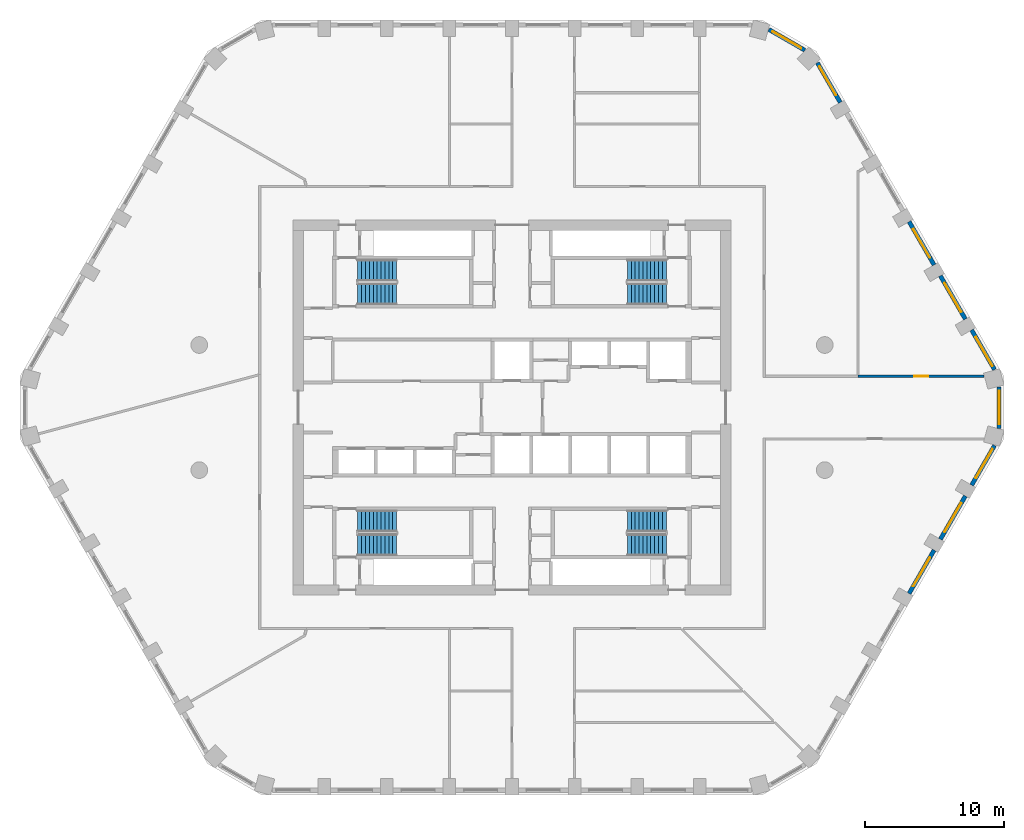
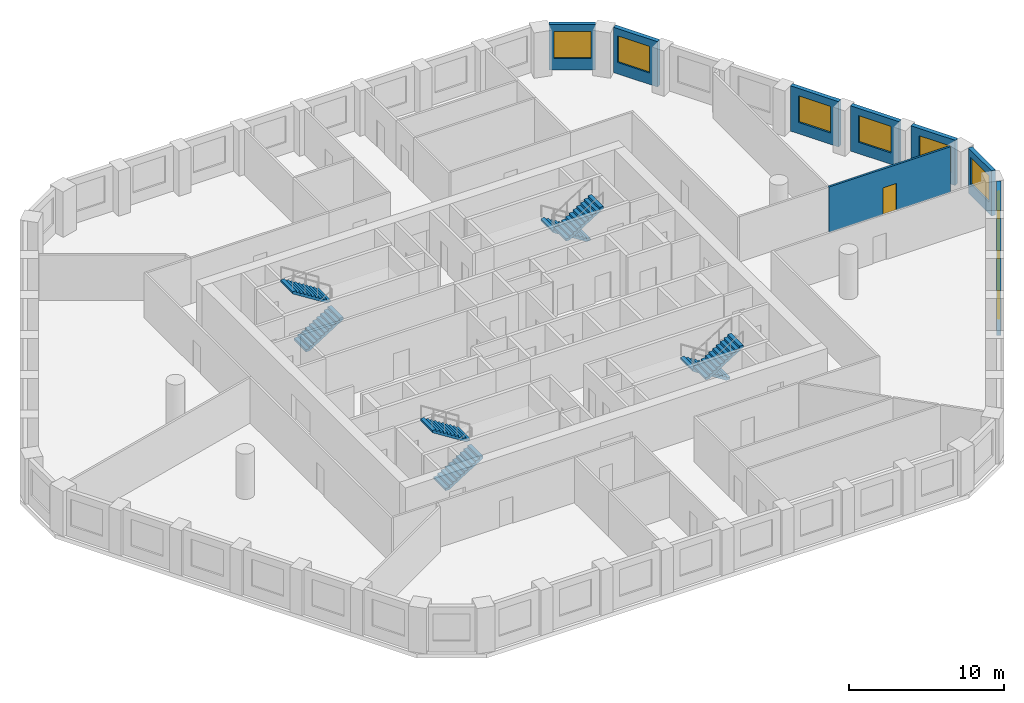
# One storey, part 8 of 9: 10 walls, 9 windows, 8 stair flights, 1 door, 10 openings, 4 elements without a shape of their own.
"""IFC4 building model written with IfcOpenShell, lengths in metres."""

import ifcopenshell
import ifcopenshell.guid

model = None  # the IFC model being written
_history = None  # IfcOwnerHistory: only IFC2X3 demands one
_inside = {}  # id of a spatial element -> (the spatial element, [elements in it])
_under = {}  # id of a project, library or spatial element -> (it, [spatial elements below it])
_declared = {}  # id of a project -> (the project, [libraries it declares])
_typed = {}  # id of a type object -> (the type object, [elements of that type])
_made_of = {}  # id of a material, layer set ... -> (it, [elements and type objects made of it])


def new_model(schema):
    """Start an empty IFC model of exactly this schema.

    Asked for "IFC4X3", IfcOpenShell would pick the latest addendum, in which some entities
    have other attributes; the version numbers below select the first issue.
    IFC2X3 requires an IfcOwnerHistory on every rooted entity: one is made here for all.
    """
    global model, _history
    if schema == "IFC4X3":
        model = ifcopenshell.file(schema_version=(4, 3, 0, 0))
    else:
        model = ifcopenshell.file(schema=schema)
    _inside.clear()
    _under.clear()
    _declared.clear()
    _typed.clear()
    _made_of.clear()
    _history = None
    if model.schema == "IFC2X3":
        org = make("IfcOrganization", Name="unknown")
        user = make(
            "IfcPersonAndOrganization",
            ThePerson=make("IfcPerson", FamilyName="unknown"),
            TheOrganization=org,
        )
        app = make(
            "IfcApplication",
            ApplicationDeveloper=org,
            Version="unknown",
            ApplicationFullName="unknown",
            ApplicationIdentifier="unknown",
        )
        _history = make(
            "IfcOwnerHistory",
            OwningUser=user,
            OwningApplication=app,
            ChangeAction="ADDED",
            CreationDate=0,
        )
    return model


def make(cls, **values):
    """One entity of the class cls with the attributes given. An attribute that is None is left unset."""
    return model.create_entity(
        cls, **{name: value for name, value in values.items() if value is not None}
    )


def rooted(cls, **values):
    """An entity with a GlobalId (a new one), such as an element, a storey or a relation."""
    return make(cls, GlobalId=ifcopenshell.guid.new(), OwnerHistory=_history, **values)


def si_unit(unit_type, name, prefix=None):
    """IfcSIUnit, for example si_unit("LENGTHUNIT", "METRE", prefix="MILLI")."""
    return make("IfcSIUnit", UnitType=unit_type, Prefix=prefix, Name=name)


def assignment(units):
    """IfcUnitAssignment: the units of a project."""
    return None if units is None else make("IfcUnitAssignment", Units=units)


def point(xyz):
    """IfcCartesianPoint."""
    return None if xyz is None else make("IfcCartesianPoint", Coordinates=xyz)


def direction(xyz):
    """IfcDirection."""
    return None if xyz is None else make("IfcDirection", DirectionRatios=xyz)


def frame(location, z_axis=None, x_axis=None):
    """IfcAxis2Placement3D, a coordinate frame: its origin and axes. An axis left out is left unset."""
    return make(
        "IfcAxis2Placement3D",
        Location=point(location),
        Axis=direction(z_axis),
        RefDirection=direction(x_axis),
    )


def frame_2d(location, x_axis=None):
    """IfcAxis2Placement2D, a coordinate frame in the plane: its origin and x axis."""
    return make(
        "IfcAxis2Placement2D", Location=point(location), RefDirection=direction(x_axis)
    )


def origin():
    """The frame at (0, 0, 0) with its axes left unset."""
    return frame((0.0, 0.0, 0.0))


def place(relative_to, where):
    """IfcLocalPlacement: puts the frame where relative to a parent placement (None: the world)."""
    return make(
        "IfcLocalPlacement", PlacementRelTo=relative_to, RelativePlacement=where
    )


def context(
    kind, dimensions, precision=None, world=None, true_north=None, identifier=None
):
    """IfcGeometricRepresentationContext, for example the 3D "Model" context."""
    return make(
        "IfcGeometricRepresentationContext",
        ContextIdentifier=identifier,
        ContextType=kind,
        CoordinateSpaceDimension=dimensions,
        Precision=precision,
        WorldCoordinateSystem=world,
        TrueNorth=true_north,
    )


def subcontext(parent, identifier, kind, view, scale=None):
    """IfcGeometricRepresentationSubContext, for example "Body" below "Model"."""
    return make(
        "IfcGeometricRepresentationSubContext",
        ContextIdentifier=identifier,
        ContextType=kind,
        ParentContext=parent,
        TargetScale=scale,
        TargetView=view,
    )


def project(units=None, contexts=None):
    """IfcProject with its units and contexts."""
    return rooted(
        "IfcProject",
        Name="project",
        RepresentationContexts=contexts,
        UnitsInContext=assignment(units),
    )


def spatial(cls, under=None, at=None, **own):
    """A site, building, storey or space (cls), placed at a placement, below another one or the project."""
    s = rooted(cls, ObjectPlacement=at, **own)
    if under is not None:
        _under.setdefault(under.id(), (under, []))[1].append(s)
    return s


def polyline(points):
    """IfcPolyline through the points."""
    return make("IfcPolyline", Points=[point(p) for p in points])


def profile(cls, at=None, kind="AREA", **sizes):
    """A parametric profile (cls). Its sizes go by their IFC names, for example OverallWidth=200.0."""
    return make(cls, ProfileType=kind, Position=at, **sizes)


def rectangle(**sizes):
    """IfcRectangleProfileDef."""
    return profile("IfcRectangleProfileDef", **sizes)


def outline(outer, holes=None, kind="AREA"):
    """IfcArbitraryClosedProfileDef: a profile drawn as a closed curve; with holes, ...WithVoids."""
    if holes is None:
        return make("IfcArbitraryClosedProfileDef", ProfileType=kind, OuterCurve=outer)
    return make(
        "IfcArbitraryProfileDefWithVoids",
        ProfileType=kind,
        OuterCurve=outer,
        InnerCurves=holes,
    )


def extrude(swept, where, along, depth):
    """IfcExtrudedAreaSolid: the profile swept, set in the frame where, extruded along a direction by depth."""
    return make(
        "IfcExtrudedAreaSolid",
        SweptArea=swept,
        Position=where,
        ExtrudedDirection=direction(along),
        Depth=depth,
    )


def shape(context_of_items, identifier, shape_type, items):
    """IfcShapeRepresentation: the items that make up one representation, for example the "Body"."""
    return make(
        "IfcShapeRepresentation",
        ContextOfItems=context_of_items,
        RepresentationIdentifier=identifier,
        RepresentationType=shape_type,
        Items=items,
    )


def material(Name=None, Category=None):
    """IfcMaterial."""
    return make("IfcMaterial", Name=Name, Category=Category)


def layer(
    of_material, thickness, ventilated=None, Name=None, Category=None, Priority=None
):
    """IfcMaterialLayer: one layer of a wall or slab, of a material (None: an air gap)."""
    return make(
        "IfcMaterialLayer",
        Material=of_material,
        LayerThickness=thickness,
        IsVentilated=ventilated,
        Name=Name,
        Category=Category,
        Priority=Priority,
    )


def layer_set(layers, Name=None):
    """IfcMaterialLayerSet."""
    return make("IfcMaterialLayerSet", MaterialLayers=layers, LayerSetName=Name)


def made_of(thing, what):
    """Note that an element or type object is made of a material, layer set ...; save() writes the relation."""
    if what is not None:
        _made_of.setdefault(what.id(), (what, []))[1].append(thing)
    return thing


def type_object(cls, material=None, **own):
    """A type object (cls), such as IfcWallType, which elements share."""
    return made_of(rooted(cls, **own), material)


def element(
    cls,
    number,
    at=None,
    inside=None,
    cuts=None,
    type_object=None,
    material=None,
    context=None,
    identifier="Body",
    shape_type=None,
    held_by="IfcProductDefinitionShape",
    body=None,
    shapes=None,
    **own,
):
    """One element of the class cls, such as IfcWall. Its Tag is "e" and its number.

    at: its placement. inside: the storey or other place that contains it. cuts: it is an
    opening in that element (IfcRelVoidsElement). A single representation is given by context,
    identifier, shape_type and body (its items); several are given by shapes. held_by: the class
    of the entity that holds the representations. save() writes the other relations.
    """
    e = rooted(cls, Tag="e%d" % number, ObjectPlacement=at, **own)
    if body is not None:
        shapes = [shape(context, identifier, shape_type, body)]
    if shapes is not None:
        e.Representation = make(held_by, Representations=shapes)
    if inside is not None:
        _inside.setdefault(inside.id(), (inside, []))[1].append(e)
    if cuts is not None:
        rooted(
            "IfcRelVoidsElement", RelatingBuildingElement=cuts, RelatedOpeningElement=e
        )
    if type_object is not None:
        _typed.setdefault(type_object.id(), (type_object, []))[1].append(e)
    return made_of(e, material)


def fill(opening, filler):
    """IfcRelFillsElement: the door or window that sits in an opening."""
    return rooted(
        "IfcRelFillsElement",
        RelatingOpeningElement=opening,
        RelatedBuildingElement=filler,
    )


def aggregate(whole, parts):
    """IfcRelAggregates: a whole, such as a stair, and the parts it consists of."""
    return rooted("IfcRelAggregates", RelatingObject=whole, RelatedObjects=parts)


def save(model, path):
    """Write the relations noted so far, then the file.

    IfcRelAggregates (storeys below a building ...), IfcRelContainedInSpatialStructure (elements
    in a storey), IfcRelDefinesByType, IfcRelAssociatesMaterial and IfcRelDeclares: one each for
    every whole, place, type object, material and project.
    """
    for whole, parts in _under.values():
        aggregate(whole, parts)
    for where, things in _inside.values():
        rooted(
            "IfcRelContainedInSpatialStructure",
            RelatedElements=things,
            RelatingStructure=where,
        )
    for kind, things in _typed.values():
        rooted("IfcRelDefinesByType", RelatedObjects=things, RelatingType=kind)
    for what, things in _made_of.values():
        rooted("IfcRelAssociatesMaterial", RelatedObjects=things, RelatingMaterial=what)
    for by, libraries in _declared.values():
        rooted("IfcRelDeclares", RelatingContext=by, RelatedDefinitions=libraries)
    model.write(path)


model = new_model("IFC4")

# Units and contexts
model_context = context("Model", 3, precision=1e-05, world=origin(), true_north=direction((0.0, 1.0)))
body_context = subcontext(model_context, "Body", "Model", "MODEL_VIEW")
ifc_project = project(units=[si_unit("LENGTHUNIT", "METRE"), si_unit("AREAUNIT", "SQUARE_METRE"), si_unit("VOLUMEUNIT", "CUBIC_METRE"), si_unit("PLANEANGLEUNIT", "RADIAN"), si_unit("MASSUNIT", "GRAM", prefix="KILO")], contexts=[model_context])

# Site, building, storey
site_placement = place(None, origin())
site = spatial("IfcSite", under=ifc_project, at=site_placement, CompositionType="ELEMENT")
building_placement = place(site_placement, origin())
building = spatial("IfcBuilding", under=site, at=building_placement, Name="Dhurran Vertical Campus", CompositionType="ELEMENT")
storey_placement = place(building_placement, frame((0.0, 0.0, 167.699951171875)))
storey = spatial("IfcBuildingStorey", under=building, at=storey_placement, Name="L41", CompositionType="ELEMENT", Elevation=167.699951171875)

# Wall, opening, window
ifc_material_1 = material(Name="Precast concrete C50/60", Category="concrete")
ifc_layer_1 = layer(ifc_material_1, 0.300048828125)
ifc_layer_set_1 = layer_set([ifc_layer_1], Name="Precast concrete C50/60")
wall_type_1 = type_object("IfcWallType", Name="Precast spandrel wall 300", PredefinedType="SOLIDWALL", material=ifc_layer_set_1)
wall_1_placement = place(storey_placement, frame((28.5693359375, -13.376220703125, 0.0), z_axis=(0.0, 0.0, 1.0), x_axis=(0.500027802648, 0.866009351323, 0.0)))
wall_1 = element("IfcWall", 1, at=wall_1_placement, inside=storey, type_object=wall_type_1, Name="EW1 L41.12", PredefinedType="SOLIDWALL", context=body_context, shape_type="SweptSolid", body=[
    extrude(rectangle(XDim=3.598876953125, YDim=0.300048828125, at=frame_2d((1.79931640625, 0.0))), origin(), (0.0, 0.0, 1.0), 3.574951171875),
])
opening_1_placement = place(wall_1_placement, frame((0.599609375, 0.0, 0.89990234375)))
opening_1 = element("IfcOpeningElement", 2, at=opening_1_placement, cuts=wall_1, Name="Opening WT1", PredefinedType="OPENING", context=body_context, shape_type="SweptSolid", body=[
    extrude(rectangle(XDim=2.39990234375, YDim=2.10009765625, at=frame_2d((1.199951171875, 1.050048828125))), frame((0.0, 0.159912109375, 0.0), z_axis=(0.0, -1.0, 0.0), x_axis=(1.0, 0.0, 0.0)), (0.0, 0.0, 1.0), 0.320068359375),
])
ifc_material_2 = material(Name="Aluminium frame with solar-control glass", Category="aluminium")
window_type = type_object("IfcWindowType", Name="Punched window 2400 x 2100", PartitioningType="SINGLE_PANEL", PredefinedType="WINDOW", material=ifc_material_2)
window_1_placement = place(opening_1_placement, origin())
window_1 = element("IfcWindow", 3, at=window_1_placement, inside=storey, type_object=window_type, Name="WT1 L41.12", OverallHeight=2.10009765625, OverallWidth=2.39990234375, PartitioningType="SINGLE_PANEL", PredefinedType="WINDOW", context=body_context, shape_type="SweptSolid", body=[
    extrude(rectangle(XDim=2.39990234375, YDim=2.10009765625, at=frame_2d((1.199951171875, 1.050048828125))), frame((0.0, 0.030029296875, 0.0), z_axis=(0.0, -1.0, 0.0), x_axis=(1.0, 0.0, 0.0)), (0.0, 0.0, 1.0), 0.06005859375),
])
fill(opening_1, window_1)

wall_2_placement = place(storey_placement, frame((30.8193359375, -9.47900390625, 0.0), z_axis=(0.0, 0.0, 1.0), x_axis=(0.500027802648, 0.866009351323, 0.0)))
wall_2 = element("IfcWall", 4, at=wall_2_placement, inside=storey, type_object=wall_type_1, Name="EW1 L41.13", PredefinedType="SOLIDWALL", context=body_context, shape_type="SweptSolid", body=[
    extrude(rectangle(XDim=3.598876953125, YDim=0.300048828125, at=frame_2d((1.79931640625, 0.0))), origin(), (0.0, 0.0, 1.0), 3.574951171875),
])
opening_2_placement = place(wall_2_placement, frame((0.599609375, 0.0, 0.89990234375)))
opening_2 = element("IfcOpeningElement", 5, at=opening_2_placement, cuts=wall_2, Name="Opening WT1", PredefinedType="OPENING", context=body_context, shape_type="SweptSolid", body=[
    extrude(rectangle(XDim=2.39990234375, YDim=2.10009765625, at=frame_2d((1.199951171875, 1.050048828125))), frame((0.0, 0.159912109375, 0.0), z_axis=(0.0, -1.0, 0.0), x_axis=(1.0, 0.0, 0.0)), (0.0, 0.0, 1.0), 0.320068359375),
])
window_2_placement = place(opening_2_placement, origin())
window_2 = element("IfcWindow", 6, at=window_2_placement, inside=storey, type_object=window_type, Name="WT1 L41.13", OverallHeight=2.10009765625, OverallWidth=2.39990234375, PartitioningType="SINGLE_PANEL", PredefinedType="WINDOW", context=body_context, shape_type="SweptSolid", body=[
    extrude(rectangle(XDim=2.39990234375, YDim=2.10009765625, at=frame_2d((1.199951171875, 1.050048828125))), frame((0.0, 0.030029296875, 0.0), z_axis=(0.0, -1.0, 0.0), x_axis=(1.0, 0.0, 0.0)), (0.0, 0.0, 1.0), 0.06005859375),
])
fill(opening_2, window_2)

wall_3_placement = place(storey_placement, frame((33.0693359375, -5.58203125, 0.0), z_axis=(0.0, 0.0, 1.0), x_axis=(0.499981217486, 0.866036247602, 0.0)))
wall_3 = element("IfcWall", 7, at=wall_3_placement, inside=storey, type_object=wall_type_1, Name="EW1 L41.14", PredefinedType="SOLIDWALL", context=body_context, shape_type="SweptSolid", body=[
    extrude(rectangle(XDim=3.294189453125, YDim=0.300048828125, at=frame_2d((1.64697265625, 0.0))), origin(), (0.0, 0.0, 1.0), 3.574951171875),
])
opening_3_placement = place(wall_3_placement, frame((0.599609375, 0.0, 0.89990234375)))
opening_3 = element("IfcOpeningElement", 8, at=opening_3_placement, cuts=wall_3, Name="Opening WT1", PredefinedType="OPENING", context=body_context, shape_type="SweptSolid", body=[
    extrude(rectangle(XDim=2.39990234375, YDim=2.10009765625, at=frame_2d((1.199951171875, 1.050048828125))), frame((0.0, 0.159912109375, 0.0), z_axis=(0.0, -1.0, 0.0), x_axis=(1.0, 0.0, 0.0)), (0.0, 0.0, 1.0), 0.320068359375),
])
window_3_placement = place(opening_3_placement, origin())
window_3 = element("IfcWindow", 9, at=window_3_placement, inside=storey, type_object=window_type, Name="WT1 L41.14", OverallHeight=2.10009765625, OverallWidth=2.39990234375, PartitioningType="SINGLE_PANEL", PredefinedType="WINDOW", context=body_context, shape_type="SweptSolid", body=[
    extrude(rectangle(XDim=2.39990234375, YDim=2.10009765625, at=frame_2d((1.199951171875, 1.050048828125))), frame((0.0, 0.030029296875, 0.0), z_axis=(0.0, -1.0, 0.0), x_axis=(1.0, 0.0, 0.0)), (0.0, 0.0, 1.0), 0.06005859375),
])
fill(opening_3, window_3)

wall_4_placement = place(storey_placement, frame((35.047119140625, -1.49462890625, 0.0), z_axis=(0.0, 0.0, 1.0), x_axis=(0.0, 1.0, 0.0)))
wall_4 = element("IfcWall", 10, at=wall_4_placement, inside=storey, type_object=wall_type_1, Name="EW1 L41.15", PredefinedType="SOLIDWALL", context=body_context, shape_type="SweptSolid", body=[
    extrude(rectangle(XDim=2.9892578125, YDim=0.300048828125, at=frame_2d((1.49462890625, 0.0))), origin(), (0.0, 0.0, 1.0), 3.574951171875),
])
opening_4_placement = place(wall_4_placement, frame((0.294677734375, 0.0, 0.89990234375)))
opening_4 = element("IfcOpeningElement", 11, at=opening_4_placement, cuts=wall_4, Name="Opening WT1", PredefinedType="OPENING", context=body_context, shape_type="SweptSolid", body=[
    extrude(rectangle(XDim=2.39990234375, YDim=2.10009765625, at=frame_2d((1.199951171875, 1.050048828125))), frame((0.0, 0.159912109375, 0.0), z_axis=(0.0, -1.0, 0.0), x_axis=(1.0, 0.0, 0.0)), (0.0, 0.0, 1.0), 0.320068359375),
])
window_4_placement = place(opening_4_placement, origin())
window_4 = element("IfcWindow", 12, at=window_4_placement, inside=storey, type_object=window_type, Name="WT1 L41.15", OverallHeight=2.10009765625, OverallWidth=2.39990234375, PartitioningType="SINGLE_PANEL", PredefinedType="WINDOW", context=body_context, shape_type="SweptSolid", body=[
    extrude(rectangle(XDim=2.39990234375, YDim=2.10009765625, at=frame_2d((1.199951171875, 1.050048828125))), frame((0.0, 0.030029296875, 0.0), z_axis=(0.0, -1.0, 0.0), x_axis=(1.0, 0.0, 0.0)), (0.0, 0.0, 1.0), 0.06005859375),
])
fill(opening_4, window_4)

wall_5_placement = place(storey_placement, frame((34.71630859375, 2.729248046875, 0.0), z_axis=(0.0, 0.0, 1.0), x_axis=(-0.499981217486, 0.866036247602, 0.0)))
wall_5 = element("IfcWall", 13, at=wall_5_placement, inside=storey, type_object=wall_type_1, Name="EW1 L41.16", PredefinedType="SOLIDWALL", context=body_context, shape_type="SweptSolid", body=[
    extrude(rectangle(XDim=3.294189453125, YDim=0.300048828125, at=frame_2d((1.64697265625, 0.0))), origin(), (0.0, 0.0, 1.0), 3.574951171875),
])
opening_5_placement = place(wall_5_placement, frame((0.294677734375, 0.0, 0.89990234375)))
opening_5 = element("IfcOpeningElement", 14, at=opening_5_placement, cuts=wall_5, Name="Opening WT1", PredefinedType="OPENING", context=body_context, shape_type="SweptSolid", body=[
    extrude(rectangle(XDim=2.39990234375, YDim=2.10009765625, at=frame_2d((1.199951171875, 1.050048828125))), frame((0.0, 0.159912109375, 0.0), z_axis=(0.0, -1.0, 0.0), x_axis=(1.0, 0.0, 0.0)), (0.0, 0.0, 1.0), 0.320068359375),
])
window_5_placement = place(opening_5_placement, origin())
window_5 = element("IfcWindow", 15, at=window_5_placement, inside=storey, type_object=window_type, Name="WT1 L41.16", OverallHeight=2.10009765625, OverallWidth=2.39990234375, PartitioningType="SINGLE_PANEL", PredefinedType="WINDOW", context=body_context, shape_type="SweptSolid", body=[
    extrude(rectangle(XDim=2.39990234375, YDim=2.10009765625, at=frame_2d((1.199951171875, 1.050048828125))), frame((0.0, 0.030029296875, 0.0), z_axis=(0.0, -1.0, 0.0), x_axis=(1.0, 0.0, 0.0)), (0.0, 0.0, 1.0), 0.06005859375),
])
fill(opening_5, window_5)

wall_6_placement = place(storey_placement, frame((32.618896484375, 6.3623046875, 0.0), z_axis=(0.0, 0.0, 1.0), x_axis=(-0.500027802648, 0.866009351323, 0.0)))
wall_6 = element("IfcWall", 16, at=wall_6_placement, inside=storey, type_object=wall_type_1, Name="EW1 L41.17", PredefinedType="SOLIDWALL", context=body_context, shape_type="SweptSolid", body=[
    extrude(rectangle(XDim=3.598876953125, YDim=0.300048828125, at=frame_2d((1.79931640625, 0.0))), origin(), (0.0, 0.0, 1.0), 3.574951171875),
])
opening_6_placement = place(wall_6_placement, frame((0.599609375, 0.0, 0.89990234375)))
opening_6 = element("IfcOpeningElement", 17, at=opening_6_placement, cuts=wall_6, Name="Opening WT1", PredefinedType="OPENING", context=body_context, shape_type="SweptSolid", body=[
    extrude(rectangle(XDim=2.39990234375, YDim=2.10009765625, at=frame_2d((1.199951171875, 1.050048828125))), frame((0.0, 0.159912109375, 0.0), z_axis=(0.0, -1.0, 0.0), x_axis=(1.0, 0.0, 0.0)), (0.0, 0.0, 1.0), 0.320068359375),
])
window_6_placement = place(opening_6_placement, origin())
window_6 = element("IfcWindow", 18, at=window_6_placement, inside=storey, type_object=window_type, Name="WT1 L41.17", OverallHeight=2.10009765625, OverallWidth=2.39990234375, PartitioningType="SINGLE_PANEL", PredefinedType="WINDOW", context=body_context, shape_type="SweptSolid", body=[
    extrude(rectangle(XDim=2.39990234375, YDim=2.10009765625, at=frame_2d((1.199951171875, 1.050048828125))), frame((0.0, 0.030029296875, 0.0), z_axis=(0.0, -1.0, 0.0), x_axis=(1.0, 0.0, 0.0)), (0.0, 0.0, 1.0), 0.06005859375),
])
fill(opening_6, window_6)

wall_7_placement = place(storey_placement, frame((30.368896484375, 10.259521484375, 0.0), z_axis=(0.0, 0.0, 1.0), x_axis=(-0.500027802648, 0.866009351323, 0.0)))
wall_7 = element("IfcWall", 19, at=wall_7_placement, inside=storey, type_object=wall_type_1, Name="EW1 L41.18", PredefinedType="SOLIDWALL", context=body_context, shape_type="SweptSolid", body=[
    extrude(rectangle(XDim=3.598876953125, YDim=0.300048828125, at=frame_2d((1.79931640625, 0.0))), origin(), (0.0, 0.0, 1.0), 3.574951171875),
])
opening_7_placement = place(wall_7_placement, frame((0.599609375, 0.0, 0.89990234375)))
opening_7 = element("IfcOpeningElement", 20, at=opening_7_placement, cuts=wall_7, Name="Opening WT1", PredefinedType="OPENING", context=body_context, shape_type="SweptSolid", body=[
    extrude(rectangle(XDim=2.39990234375, YDim=2.10009765625, at=frame_2d((1.199951171875, 1.050048828125))), frame((0.0, 0.159912109375, 0.0), z_axis=(0.0, -1.0, 0.0), x_axis=(1.0, 0.0, 0.0)), (0.0, 0.0, 1.0), 0.320068359375),
])
window_7_placement = place(opening_7_placement, origin())
window_7 = element("IfcWindow", 21, at=window_7_placement, inside=storey, type_object=window_type, Name="WT1 L41.18", OverallHeight=2.10009765625, OverallWidth=2.39990234375, PartitioningType="SINGLE_PANEL", PredefinedType="WINDOW", context=body_context, shape_type="SweptSolid", body=[
    extrude(rectangle(XDim=2.39990234375, YDim=2.10009765625, at=frame_2d((1.199951171875, 1.050048828125))), frame((0.0, 0.030029296875, 0.0), z_axis=(0.0, -1.0, 0.0), x_axis=(1.0, 0.0, 0.0)), (0.0, 0.0, 1.0), 0.06005859375),
])
fill(opening_7, window_7)

wall_8_placement = place(storey_placement, frame((23.618896484375, 21.95068359375, 0.0), z_axis=(0.0, 0.0, 1.0), x_axis=(-0.500036802197, 0.866004154983, 0.0)))
wall_8 = element("IfcWall", 22, at=wall_8_placement, inside=storey, type_object=wall_type_1, Name="EW1 L41.21", PredefinedType="SOLIDWALL", context=body_context, shape_type="SweptSolid", body=[
    extrude(rectangle(XDim=3.294189453125, YDim=0.300048828125, at=frame_2d((1.64697265625, 0.0))), origin(), (0.0, 0.0, 1.0), 3.574951171875),
])
opening_8_placement = place(wall_8_placement, frame((0.599609375, 0.0, 0.89990234375)))
opening_8 = element("IfcOpeningElement", 23, at=opening_8_placement, cuts=wall_8, Name="Opening WT1", PredefinedType="OPENING", context=body_context, shape_type="SweptSolid", body=[
    extrude(rectangle(XDim=2.39990234375, YDim=2.10009765625, at=frame_2d((1.199951171875, 1.050048828125))), frame((0.0, 0.159912109375, 0.0), z_axis=(0.0, -1.0, 0.0), x_axis=(1.0, 0.0, 0.0)), (0.0, 0.0, 1.0), 0.320068359375),
])
window_8_placement = place(opening_8_placement, origin())
window_8 = element("IfcWindow", 24, at=window_8_placement, inside=storey, type_object=window_type, Name="WT1 L41.21", OverallHeight=2.10009765625, OverallWidth=2.39990234375, PartitioningType="SINGLE_PANEL", PredefinedType="WINDOW", context=body_context, shape_type="SweptSolid", body=[
    extrude(rectangle(XDim=2.39990234375, YDim=2.10009765625, at=frame_2d((1.199951171875, 1.050048828125))), frame((0.0, 0.030029296875, 0.0), z_axis=(0.0, -1.0, 0.0), x_axis=(1.0, 0.0, 0.0)), (0.0, 0.0, 1.0), 0.06005859375),
])
fill(opening_8, window_8)

wall_9_placement = place(storey_placement, frame((21.06787109375, 25.707275390625, 0.0), z_axis=(0.0, 0.0, 1.0), x_axis=(-0.866012844897, 0.500021752, 0.0)))
wall_9 = element("IfcWall", 25, at=wall_9_placement, inside=storey, type_object=wall_type_1, Name="EW1 L41.22", PredefinedType="SOLIDWALL", context=body_context, shape_type="SweptSolid", body=[
    extrude(rectangle(XDim=2.989013671875, YDim=0.300048828125, at=frame_2d((1.49462890625, 0.0))), origin(), (0.0, 0.0, 1.0), 3.574951171875),
])
opening_9_placement = place(wall_9_placement, frame((0.294677734375, 0.0, 0.89990234375)))
opening_9 = element("IfcOpeningElement", 26, at=opening_9_placement, cuts=wall_9, Name="Opening WT1", PredefinedType="OPENING", context=body_context, shape_type="SweptSolid", body=[
    extrude(rectangle(XDim=2.39990234375, YDim=2.10009765625, at=frame_2d((1.199951171875, 1.050048828125))), frame((0.0, 0.159912109375, 0.0), z_axis=(0.0, -1.0, 0.0), x_axis=(1.0, 0.0, 0.0)), (0.0, 0.0, 1.0), 0.320068359375),
])
window_9_placement = place(opening_9_placement, origin())
window_9 = element("IfcWindow", 27, at=window_9_placement, inside=storey, type_object=window_type, Name="WT1 L41.22", OverallHeight=2.10009765625, OverallWidth=2.39990234375, PartitioningType="SINGLE_PANEL", PredefinedType="WINDOW", context=body_context, shape_type="SweptSolid", body=[
    extrude(rectangle(XDim=2.39990234375, YDim=2.10009765625, at=frame_2d((1.199951171875, 1.050048828125))), frame((0.0, 0.030029296875, 0.0), z_axis=(0.0, -1.0, 0.0), x_axis=(1.0, 0.0, 0.0)), (0.0, 0.0, 1.0), 0.06005859375),
])
fill(opening_9, window_9)

# Wall, opening, door
ifc_material_3 = material(Name="Gypsum board corridor wall on steel studs", Category="steel")
ifc_layer_2 = layer(ifc_material_3, 0.14990234375)
ifc_layer_set_2 = layer_set([ifc_layer_2], Name="Gypsum board corridor wall on steel studs")
wall_type_2 = type_object("IfcWallType", Name="fl-CW-150 corridor wall", PredefinedType="PARTITIONING", material=ifc_layer_set_2)
wall_10_placement = place(storey_placement, frame((24.89990234375, 2.25, 0.0), z_axis=(0.0, 0.0, 1.0), x_axis=(1.0, 0.0, 0.0)))
wall_10 = element("IfcWall", 28, at=wall_10_placement, inside=storey, type_object=wall_type_2, Name="Partition 41-49", PredefinedType="PARTITIONING", context=body_context, shape_type="SweptSolid", body=[
    extrude(rectangle(XDim=9.06787109375, YDim=0.14990234375, at=frame_2d((4.533935546875, 0.0))), origin(), (0.0, 0.0, 1.0), 3.574951171875),
])
opening_10_placement = place(wall_10_placement, frame((4.033935546875, 0.0, 0.0)))
opening_10 = element("IfcOpeningElement", 29, at=opening_10_placement, cuts=wall_10, Name="Opening T12.17", PredefinedType="OPENING", context=body_context, shape_type="SweptSolid", body=[
    extrude(rectangle(XDim=1.0, YDim=2.10009765625, at=frame_2d((0.5, 1.050048828125))), frame((0.0, 0.0849609375, 0.0), z_axis=(0.0, -1.0, 0.0), x_axis=(1.0, 0.0, 0.0)), (0.0, 0.0, 1.0), 0.169921875),
])
ifc_material_4 = material(Name="Solid-core timber door set, fire-rated", Category="wood")
door_type = type_object("IfcDoorType", Name="fl-D-1000x2100", OperationType="SINGLE_SWING_LEFT", PredefinedType="DOOR", material=ifc_material_4)
door_placement = place(opening_10_placement, origin())
door = element("IfcDoor", 30, at=door_placement, inside=storey, type_object=door_type, Name="Door 41.17", OperationType="SINGLE_SWING_RIGHT", OverallHeight=2.10009765625, OverallWidth=1.0, PredefinedType="DOOR", context=body_context, shape_type="SweptSolid", body=[
    extrude(rectangle(XDim=1.0, YDim=2.10009765625, at=frame_2d((0.5, 1.050048828125))), frame((0.0, 0.02490234375, 0.0), z_axis=(0.0, -1.0, 0.0), x_axis=(1.0, 0.0, 0.0)), (0.0, 0.0, 1.0), 0.050048828125),
])
fill(opening_10, door)

# Stair, stair flights
ifc_material_5 = material(Name="Concrete C40/50", Category="concrete")
stair_type = type_object("IfcStairType", Name="co-ST-CORE", PredefinedType="HALF_TURN_STAIR", material=ifc_material_5)
stair_1_placement = place(storey_placement, origin())
stair_1 = element("IfcStair", 31, at=stair_1_placement, inside=storey, type_object=stair_type, Name="L41 Protected exit stair ST1", PredefinedType="HALF_TURN_STAIR")
ifc_material_6 = material(Name="Concrete C40/50", Category="concrete")
stair_flight_type = type_object("IfcStairFlightType", Name="co-SFL-RC", PredefinedType="STRAIGHT", material=ifc_material_6)
stair_flight_1_placement = place(storey_placement, frame((-11.10009765625, 8.175048828125, 0.0), z_axis=(0.0, 0.0, 1.0), x_axis=(1.0, 0.0, 0.0)))
stair_flight_1 = element("IfcStairFlight", 32, at=stair_flight_1_placement, type_object=stair_flight_type, Name="ST1 flight 1", NumberOfRisers=11, NumberOfTreads=10, PredefinedType="STRAIGHT", RiserHeight=0.177272727, TreadLength=0.28, context=body_context, shape_type="SweptSolid", body=[
    extrude(outline(polyline([(0.0, 0.0), (0.0, 0.17724609375), (0.280029296875, 0.17724609375), (0.280029296875, 0.3544921875), (0.56005859375, 0.3544921875), (0.56005859375, 0.53173828125), (0.840087890625, 0.53173828125), (0.840087890625, 0.708984375), (1.1201171875, 0.708984375), (1.1201171875, 0.886474609375), (1.39990234375, 0.886474609375), (1.39990234375, 1.063720703125), (1.679931640625, 1.063720703125), (1.679931640625, 1.240966796875), (1.9599609375, 1.240966796875), (1.9599609375, 1.418212890625), (2.239990234375, 1.418212890625), (2.239990234375, 1.595458984375), (2.52001953125, 1.595458984375), (2.52001953125, 1.772705078125), (2.800048828125, 1.772705078125), (2.800048828125, 1.949951171875), (2.800048828125, 1.59521484375), (0.2802734375, 0.0), (0.0, 0.0)])), frame((0.0, 0.77490234375, 0.0), z_axis=(0.0, -1.0, 0.0), x_axis=(1.0, 0.0, 0.0)), (0.0, 0.0, 1.0), 1.550048828125),
])
stair_flight_2_placement = place(storey_placement, frame((-8.300048828125, 9.875, 1.949951171875), z_axis=(0.0, 0.0, 1.0), x_axis=(-1.0, 0.0, 0.0)))
stair_flight_2 = element("IfcStairFlight", 33, at=stair_flight_2_placement, type_object=stair_flight_type, Name="ST1 flight 2", NumberOfRisers=11, NumberOfTreads=10, PredefinedType="STRAIGHT", RiserHeight=0.177272727, TreadLength=0.28, context=body_context, shape_type="SweptSolid", body=[
    extrude(outline(polyline([(0.0, 0.0), (0.0, 0.17724609375), (0.280029296875, 0.17724609375), (0.280029296875, 0.3544921875), (0.56005859375, 0.3544921875), (0.56005859375, 0.53173828125), (0.840087890625, 0.53173828125), (0.840087890625, 0.708984375), (1.1201171875, 0.708984375), (1.1201171875, 0.886474609375), (1.39990234375, 0.886474609375), (1.39990234375, 1.063720703125), (1.679931640625, 1.063720703125), (1.679931640625, 1.240966796875), (1.9599609375, 1.240966796875), (1.9599609375, 1.418212890625), (2.239990234375, 1.418212890625), (2.239990234375, 1.595458984375), (2.52001953125, 1.595458984375), (2.52001953125, 1.772705078125), (2.800048828125, 1.772705078125), (2.800048828125, 1.949951171875), (2.800048828125, 1.59521484375), (0.2802734375, 0.0), (0.0, 0.0)])), frame((0.0, 0.77490234375, 0.0), z_axis=(0.0, -1.0, 0.0), x_axis=(1.0, 0.0, 0.0)), (0.0, 0.0, 1.0), 1.550048828125),
])
aggregate(stair_1, [stair_flight_1, stair_flight_2])

stair_2_placement = place(storey_placement, origin())
stair_2 = element("IfcStair", 34, at=stair_2_placement, inside=storey, type_object=stair_type, Name="L41 Protected exit stair ST2", PredefinedType="HALF_TURN_STAIR")
stair_flight_3_placement = place(storey_placement, frame((11.10009765625, 9.875, 0.0), z_axis=(0.0, 0.0, 1.0), x_axis=(-1.0, 0.0, 0.0)))
stair_flight_3 = element("IfcStairFlight", 35, at=stair_flight_3_placement, type_object=stair_flight_type, Name="ST2 flight 1", NumberOfRisers=11, NumberOfTreads=10, PredefinedType="STRAIGHT", RiserHeight=0.177272727, TreadLength=0.28, context=body_context, shape_type="SweptSolid", body=[
    extrude(outline(polyline([(0.0, 0.0), (0.0, 0.17724609375), (0.280029296875, 0.17724609375), (0.280029296875, 0.3544921875), (0.56005859375, 0.3544921875), (0.56005859375, 0.53173828125), (0.840087890625, 0.53173828125), (0.840087890625, 0.708984375), (1.1201171875, 0.708984375), (1.1201171875, 0.886474609375), (1.39990234375, 0.886474609375), (1.39990234375, 1.063720703125), (1.679931640625, 1.063720703125), (1.679931640625, 1.240966796875), (1.9599609375, 1.240966796875), (1.9599609375, 1.418212890625), (2.239990234375, 1.418212890625), (2.239990234375, 1.595458984375), (2.52001953125, 1.595458984375), (2.52001953125, 1.772705078125), (2.800048828125, 1.772705078125), (2.800048828125, 1.949951171875), (2.800048828125, 1.59521484375), (0.2802734375, 0.0), (0.0, 0.0)])), frame((0.0, 0.77490234375, 0.0), z_axis=(0.0, -1.0, 0.0), x_axis=(1.0, 0.0, 0.0)), (0.0, 0.0, 1.0), 1.550048828125),
])
stair_flight_4_placement = place(storey_placement, frame((8.300048828125, 8.175048828125, 1.949951171875), z_axis=(0.0, 0.0, 1.0), x_axis=(1.0, 0.0, 0.0)))
stair_flight_4 = element("IfcStairFlight", 36, at=stair_flight_4_placement, type_object=stair_flight_type, Name="ST2 flight 2", NumberOfRisers=11, NumberOfTreads=10, PredefinedType="STRAIGHT", RiserHeight=0.177272727, TreadLength=0.28, context=body_context, shape_type="SweptSolid", body=[
    extrude(outline(polyline([(0.0, 0.0), (0.0, 0.17724609375), (0.280029296875, 0.17724609375), (0.280029296875, 0.3544921875), (0.56005859375, 0.3544921875), (0.56005859375, 0.53173828125), (0.840087890625, 0.53173828125), (0.840087890625, 0.708984375), (1.1201171875, 0.708984375), (1.1201171875, 0.886474609375), (1.39990234375, 0.886474609375), (1.39990234375, 1.063720703125), (1.679931640625, 1.063720703125), (1.679931640625, 1.240966796875), (1.9599609375, 1.240966796875), (1.9599609375, 1.418212890625), (2.239990234375, 1.418212890625), (2.239990234375, 1.595458984375), (2.52001953125, 1.595458984375), (2.52001953125, 1.772705078125), (2.800048828125, 1.772705078125), (2.800048828125, 1.949951171875), (2.800048828125, 1.59521484375), (0.2802734375, 0.0), (0.0, 0.0)])), frame((0.0, 0.77490234375, 0.0), z_axis=(0.0, -1.0, 0.0), x_axis=(1.0, 0.0, 0.0)), (0.0, 0.0, 1.0), 1.550048828125),
])
aggregate(stair_2, [stair_flight_3, stair_flight_4])

stair_3_placement = place(storey_placement, origin())
stair_3 = element("IfcStair", 37, at=stair_3_placement, inside=storey, type_object=stair_type, Name="L41 Protected exit stair ST3", PredefinedType="HALF_TURN_STAIR")
stair_flight_5_placement = place(storey_placement, frame((-11.10009765625, -9.875, 0.0), z_axis=(0.0, 0.0, 1.0), x_axis=(1.0, 0.0, 0.0)))
stair_flight_5 = element("IfcStairFlight", 38, at=stair_flight_5_placement, type_object=stair_flight_type, Name="ST3 flight 1", NumberOfRisers=11, NumberOfTreads=10, PredefinedType="STRAIGHT", RiserHeight=0.177272727, TreadLength=0.28, context=body_context, shape_type="SweptSolid", body=[
    extrude(outline(polyline([(0.0, 0.0), (0.0, 0.17724609375), (0.280029296875, 0.17724609375), (0.280029296875, 0.3544921875), (0.56005859375, 0.3544921875), (0.56005859375, 0.53173828125), (0.840087890625, 0.53173828125), (0.840087890625, 0.708984375), (1.1201171875, 0.708984375), (1.1201171875, 0.886474609375), (1.39990234375, 0.886474609375), (1.39990234375, 1.063720703125), (1.679931640625, 1.063720703125), (1.679931640625, 1.240966796875), (1.9599609375, 1.240966796875), (1.9599609375, 1.418212890625), (2.239990234375, 1.418212890625), (2.239990234375, 1.595458984375), (2.52001953125, 1.595458984375), (2.52001953125, 1.772705078125), (2.800048828125, 1.772705078125), (2.800048828125, 1.949951171875), (2.800048828125, 1.59521484375), (0.2802734375, 0.0), (0.0, 0.0)])), frame((0.0, 0.77490234375, 0.0), z_axis=(0.0, -1.0, 0.0), x_axis=(1.0, 0.0, 0.0)), (0.0, 0.0, 1.0), 1.550048828125),
])
stair_flight_6_placement = place(storey_placement, frame((-8.300048828125, -8.175048828125, 1.949951171875), z_axis=(0.0, 0.0, 1.0), x_axis=(-1.0, 0.0, 0.0)))
stair_flight_6 = element("IfcStairFlight", 39, at=stair_flight_6_placement, type_object=stair_flight_type, Name="ST3 flight 2", NumberOfRisers=11, NumberOfTreads=10, PredefinedType="STRAIGHT", RiserHeight=0.177272727, TreadLength=0.28, context=body_context, shape_type="SweptSolid", body=[
    extrude(outline(polyline([(0.0, 0.0), (0.0, 0.17724609375), (0.280029296875, 0.17724609375), (0.280029296875, 0.3544921875), (0.56005859375, 0.3544921875), (0.56005859375, 0.53173828125), (0.840087890625, 0.53173828125), (0.840087890625, 0.708984375), (1.1201171875, 0.708984375), (1.1201171875, 0.886474609375), (1.39990234375, 0.886474609375), (1.39990234375, 1.063720703125), (1.679931640625, 1.063720703125), (1.679931640625, 1.240966796875), (1.9599609375, 1.240966796875), (1.9599609375, 1.418212890625), (2.239990234375, 1.418212890625), (2.239990234375, 1.595458984375), (2.52001953125, 1.595458984375), (2.52001953125, 1.772705078125), (2.800048828125, 1.772705078125), (2.800048828125, 1.949951171875), (2.800048828125, 1.59521484375), (0.2802734375, 0.0), (0.0, 0.0)])), frame((0.0, 0.77490234375, 0.0), z_axis=(0.0, -1.0, 0.0), x_axis=(1.0, 0.0, 0.0)), (0.0, 0.0, 1.0), 1.550048828125),
])
aggregate(stair_3, [stair_flight_5, stair_flight_6])

stair_4_placement = place(storey_placement, origin())
stair_4 = element("IfcStair", 40, at=stair_4_placement, inside=storey, type_object=stair_type, Name="L41 Protected exit stair ST4", PredefinedType="HALF_TURN_STAIR")
stair_flight_7_placement = place(storey_placement, frame((11.10009765625, -8.175048828125, 0.0), z_axis=(0.0, 0.0, 1.0), x_axis=(-1.0, 0.0, 0.0)))
stair_flight_7 = element("IfcStairFlight", 41, at=stair_flight_7_placement, type_object=stair_flight_type, Name="ST4 flight 1", NumberOfRisers=11, NumberOfTreads=10, PredefinedType="STRAIGHT", RiserHeight=0.177272727, TreadLength=0.28, context=body_context, shape_type="SweptSolid", body=[
    extrude(outline(polyline([(0.0, 0.0), (0.0, 0.17724609375), (0.280029296875, 0.17724609375), (0.280029296875, 0.3544921875), (0.56005859375, 0.3544921875), (0.56005859375, 0.53173828125), (0.840087890625, 0.53173828125), (0.840087890625, 0.708984375), (1.1201171875, 0.708984375), (1.1201171875, 0.886474609375), (1.39990234375, 0.886474609375), (1.39990234375, 1.063720703125), (1.679931640625, 1.063720703125), (1.679931640625, 1.240966796875), (1.9599609375, 1.240966796875), (1.9599609375, 1.418212890625), (2.239990234375, 1.418212890625), (2.239990234375, 1.595458984375), (2.52001953125, 1.595458984375), (2.52001953125, 1.772705078125), (2.800048828125, 1.772705078125), (2.800048828125, 1.949951171875), (2.800048828125, 1.59521484375), (0.2802734375, 0.0), (0.0, 0.0)])), frame((0.0, 0.77490234375, 0.0), z_axis=(0.0, -1.0, 0.0), x_axis=(1.0, 0.0, 0.0)), (0.0, 0.0, 1.0), 1.550048828125),
])
stair_flight_8_placement = place(storey_placement, frame((8.300048828125, -9.875, 1.949951171875), z_axis=(0.0, 0.0, 1.0), x_axis=(1.0, 0.0, 0.0)))
stair_flight_8 = element("IfcStairFlight", 42, at=stair_flight_8_placement, type_object=stair_flight_type, Name="ST4 flight 2", NumberOfRisers=11, NumberOfTreads=10, PredefinedType="STRAIGHT", RiserHeight=0.177272727, TreadLength=0.28, context=body_context, shape_type="SweptSolid", body=[
    extrude(outline(polyline([(0.0, 0.0), (0.0, 0.17724609375), (0.280029296875, 0.17724609375), (0.280029296875, 0.3544921875), (0.56005859375, 0.3544921875), (0.56005859375, 0.53173828125), (0.840087890625, 0.53173828125), (0.840087890625, 0.708984375), (1.1201171875, 0.708984375), (1.1201171875, 0.886474609375), (1.39990234375, 0.886474609375), (1.39990234375, 1.063720703125), (1.679931640625, 1.063720703125), (1.679931640625, 1.240966796875), (1.9599609375, 1.240966796875), (1.9599609375, 1.418212890625), (2.239990234375, 1.418212890625), (2.239990234375, 1.595458984375), (2.52001953125, 1.595458984375), (2.52001953125, 1.772705078125), (2.800048828125, 1.772705078125), (2.800048828125, 1.949951171875), (2.800048828125, 1.59521484375), (0.2802734375, 0.0), (0.0, 0.0)])), frame((0.0, 0.77490234375, 0.0), z_axis=(0.0, -1.0, 0.0), x_axis=(1.0, 0.0, 0.0)), (0.0, 0.0, 1.0), 1.550048828125),
])
aggregate(stair_4, [stair_flight_7, stair_flight_8])

save(model, "model.ifc")
